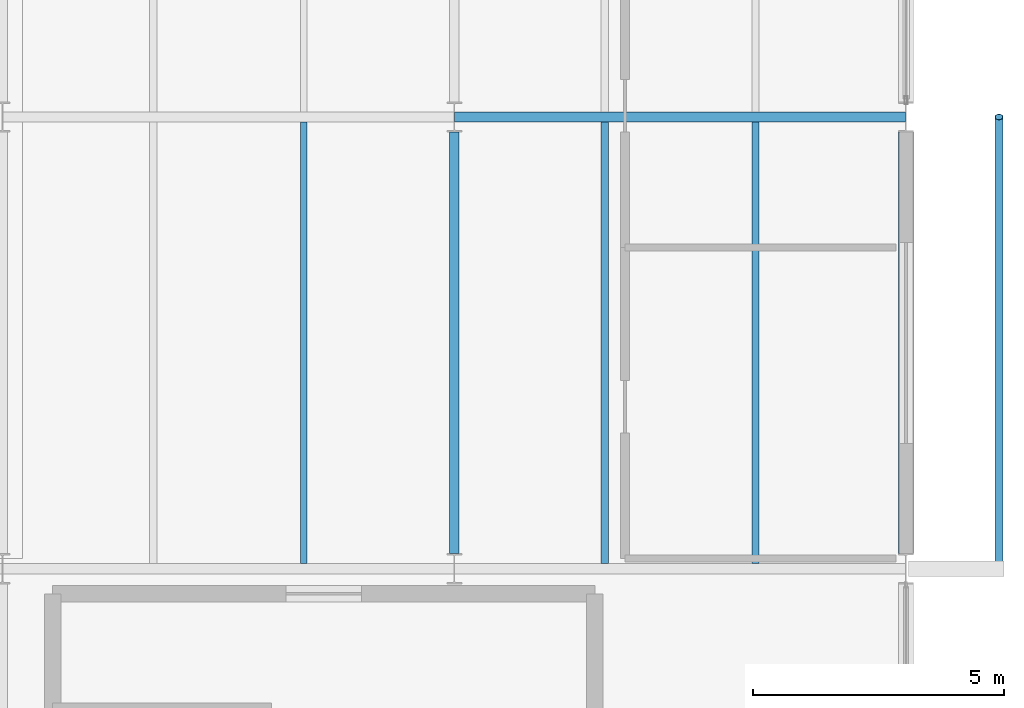
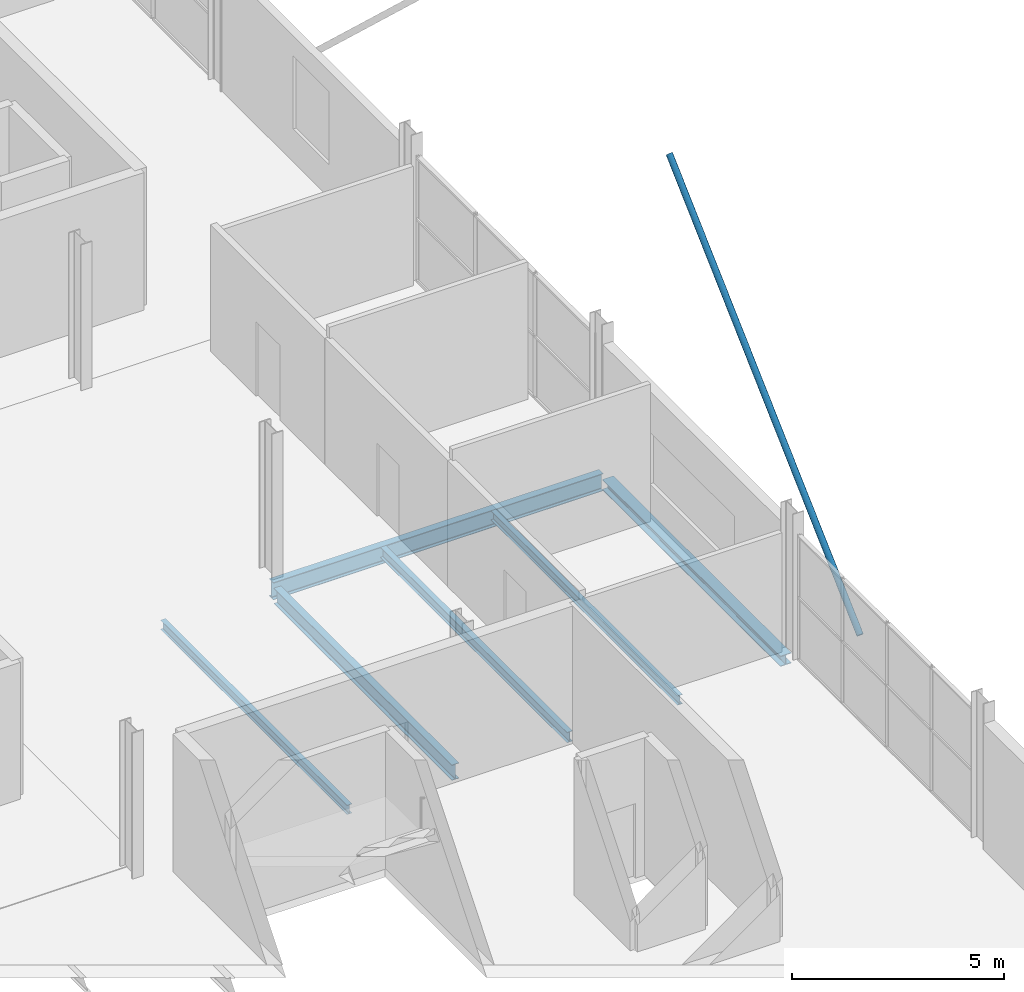
# One storey, part 37 of 59: 6 beams, 1 member.
"""IFC4 building model written with IfcOpenShell, lengths in metres."""

from ifc_helpers import new_model, si_unit, direction, frame, origin, origin_2d, place, context, subcontext, project, spatial, hollow_circle, i_section, extrude, material, material_profile, profile_set, type_object, element, save


model = new_model("IFC4")

# Units and contexts
model_context = context("Model", 3, precision=1e-05, world=origin(), true_north=direction((0.0, 1.0)))
body_context = subcontext(model_context, "Body", "Model", "MODEL_VIEW")
ifc_project = project(units=[si_unit("LENGTHUNIT", "METRE"), si_unit("AREAUNIT", "SQUARE_METRE"), si_unit("VOLUMEUNIT", "CUBIC_METRE"), si_unit("PLANEANGLEUNIT", "RADIAN"), si_unit("MASSUNIT", "GRAM", prefix="KILO")], contexts=[model_context])

# Site, building, storey
site_placement = place(None, origin())
site = spatial("IfcSite", under=ifc_project, at=site_placement, CompositionType="ELEMENT")
building_placement = place(site_placement, origin())
building = spatial("IfcBuilding", under=site, at=building_placement, Name="Deido Ridge Mobility Hub", CompositionType="ELEMENT")
storey_placement = place(building_placement, frame((0.0, 0.0, 21.0)))
storey = spatial("IfcBuildingStorey", under=building, at=storey_placement, Name="L05", CompositionType="ELEMENT", Elevation=21.0)

# Beams
ifc_material_1 = material(Name="Steel S355J2 EN 10025-2", Category="steel")
ifc_material_profile_1 = material_profile(ifc_material_1, i_section(OverallWidth=0.18994140625, OverallDepth=0.449951171875, WebThickness=0.009521484375, FlangeThickness=0.0146484375, FilletRadius=0.02099609375, at=origin_2d()), Name="IPE 450")
ifc_profile_set_1 = profile_set([ifc_material_profile_1], Name="Steel S355J2 EN 10025-2")
beam_type_1 = type_object("IfcBeamType", Name="BM-IPE450", PredefinedType="BEAM", material=ifc_profile_set_1)
beam_1_placement = place(storey_placement, frame((171.0, 18.300048828125, -0.469970703125), z_axis=(0.0, 1.0, 0.0), x_axis=(-1.0, 0.0, 0.0)))
element("IfcBeam", 1, at=beam_1_placement, inside=storey, type_object=beam_type_1, Name="Floor beam B4", PredefinedType="BEAM", context=body_context, shape_type="SweptSolid", body=[
    extrude(i_section(OverallWidth=0.18994140625, OverallDepth=0.449951171875, WebThickness=0.009521484375, FlangeThickness=0.0146484375, FilletRadius=0.02099609375, at=origin_2d()), origin(), (0.0, 0.0, 1.0), 8.39990234375),
])
ifc_material_profile_2 = material_profile(ifc_material_1, i_section(OverallWidth=0.199951171875, OverallDepth=0.5, WebThickness=0.01025390625, FlangeThickness=0.01611328125, FilletRadius=0.02099609375, at=origin_2d()), Name="IPE 500")
ifc_profile_set_2 = profile_set([ifc_material_profile_2], Name="Steel S355J2 EN 10025-2")
beam_type_2 = type_object("IfcBeamType", Name="BM-IPE500", PredefinedType="BEAM", material=ifc_profile_set_2)
beam_2_placement = place(storey_placement, frame((171.0078125, 27.0, -0.4951171875), z_axis=(1.0, 0.0, 0.0), x_axis=(0.0, 1.0, 0.0)))
element("IfcBeam", 2, at=beam_2_placement, inside=storey, type_object=beam_type_2, Name="Floor beam B3", PredefinedType="BEAM", context=body_context, shape_type="SweptSolid", body=[
    extrude(i_section(OverallWidth=0.199951171875, OverallDepth=0.5, WebThickness=0.01025390625, FlangeThickness=0.01611328125, FilletRadius=0.02099609375, at=origin_2d()), origin(), (0.0, 0.0, 1.0), 8.984375),
])
ifc_material_profile_3 = material_profile(ifc_material_1, i_section(OverallWidth=0.135009765625, OverallDepth=0.27001953125, WebThickness=0.006591796875, FlangeThickness=0.01025390625, FilletRadius=0.014892578125, at=origin_2d()), Name="IPE 270")
ifc_profile_set_3 = profile_set([ifc_material_profile_3], Name="Steel S355J2 EN 10025-2")
beam_type_3 = type_object("IfcBeamType", Name="JST-IPE270", PredefinedType="JOIST", material=ifc_profile_set_3)
for number, where, z_axis, x_axis, name in (
    (3, (168.0, 18.10009765625, -0.3798828125), (0.0, 1.0, 0.0), (-1.0, 0.0, 0.0), "Composite joist J4"),
    (4, (177.0, 18.10009765625, -0.3798828125), (0.0, 1.0, 0.0), (-1.0, 0.0, 0.0), "Composite joist J4"),
):
    element("IfcBeam", number, at=place(storey_placement, frame(where, z_axis=z_axis, x_axis=x_axis)), inside=storey, type_object=beam_type_3, Name=name, PredefinedType="JOIST", context=body_context, shape_type="SweptSolid", body=[
        extrude(i_section(OverallWidth=0.135009765625, OverallDepth=0.27001953125, WebThickness=0.006591796875, FlangeThickness=0.01025390625, FilletRadius=0.014892578125, at=origin_2d()), origin(), (0.0, 0.0, 1.0), 8.7998046875),
    ])
ifc_material_profile_4 = material_profile(ifc_material_1, i_section(OverallWidth=0.14990234375, OverallDepth=0.300048828125, WebThickness=0.007080078125, FlangeThickness=0.0107421875, FilletRadius=0.014892578125, at=origin_2d()), Name="IPE 300")
ifc_profile_set_4 = profile_set([ifc_material_profile_4], Name="Steel S355J2 EN 10025-2")
beam_type_4 = type_object("IfcBeamType", Name="JST-IPE300", PredefinedType="JOIST", material=ifc_profile_set_4)
beam_3_placement = place(storey_placement, frame((174.0, 18.10009765625, -0.39501953125), z_axis=(0.0, 1.0, 0.0), x_axis=(-1.0, 0.0, 0.0)))
element("IfcBeam", 5, at=beam_3_placement, inside=storey, type_object=beam_type_4, Name="Composite joist J3", PredefinedType="JOIST", context=body_context, shape_type="SweptSolid", body=[
    extrude(i_section(OverallWidth=0.14990234375, OverallDepth=0.300048828125, WebThickness=0.007080078125, FlangeThickness=0.0107421875, FilletRadius=0.014892578125, at=origin_2d()), origin(), (0.0, 0.0, 1.0), 8.7998046875),
])

# Member
ifc_material_2 = material(Name="Steel S355J2H EN 10210-1", Category="steel")
ifc_material_profile_5 = material_profile(ifc_material_2, hollow_circle(Radius=0.084228515625, WallThickness=0.008056640625, at=origin_2d()), Name="CHS 168.3x8")
ifc_profile_set_5 = profile_set([ifc_material_profile_5], Name="Steel S355J2H EN 10210-1")
member_type = type_object("IfcMemberType", Name="MEM-STR-CHS168", PredefinedType="STRUT", material=ifc_profile_set_5)
member_placement = place(storey_placement, frame((181.85009765625, 18.0, -0.14990234375), z_axis=(0.0, 0.73105922506, 0.682314010889), x_axis=(-1.0, 0.0, 0.0)))
element("IfcMember", 6, at=member_placement, inside=storey, type_object=member_type, Name="Deconstructivist facade diagrid strut SR1", PredefinedType="STRUT", context=body_context, shape_type="SweptSolid", body=[
    extrude(hollow_circle(Radius=0.084228515625, WallThickness=0.008056640625, at=origin_2d()), origin(), (0.0, 0.0, 1.0), 12.310791015625),
])

# Beam
ifc_material_profile_6 = material_profile(ifc_material_1, i_section(OverallWidth=0.300048828125, OverallDepth=0.300048828125, WebThickness=0.010986328125, FlangeThickness=0.01904296875, FilletRadius=0.027099609375, at=origin_2d()), Name="HEB 300")
ifc_profile_set_6 = profile_set([ifc_material_profile_6], Name="Steel S355J2 EN 10025-2")
beam_type_5 = type_object("IfcBeamType", Name="SPD-HEB300", PredefinedType="SPANDREL", material=ifc_profile_set_6)
beam_4_placement = place(storey_placement, frame((180.0, 18.300048828125, -0.39501953125), z_axis=(0.0, 1.0, 0.0), x_axis=(-1.0, 0.0, 0.0)))
element("IfcBeam", 7, at=beam_4_placement, inside=storey, type_object=beam_type_5, Name="Floor beam SP1", PredefinedType="SPANDREL", context=body_context, shape_type="SweptSolid", body=[
    extrude(i_section(OverallWidth=0.300048828125, OverallDepth=0.300048828125, WebThickness=0.010986328125, FlangeThickness=0.01904296875, FilletRadius=0.027099609375, at=origin_2d()), origin(), (0.0, 0.0, 1.0), 8.39990234375),
])

save(model, "model.ifc")
